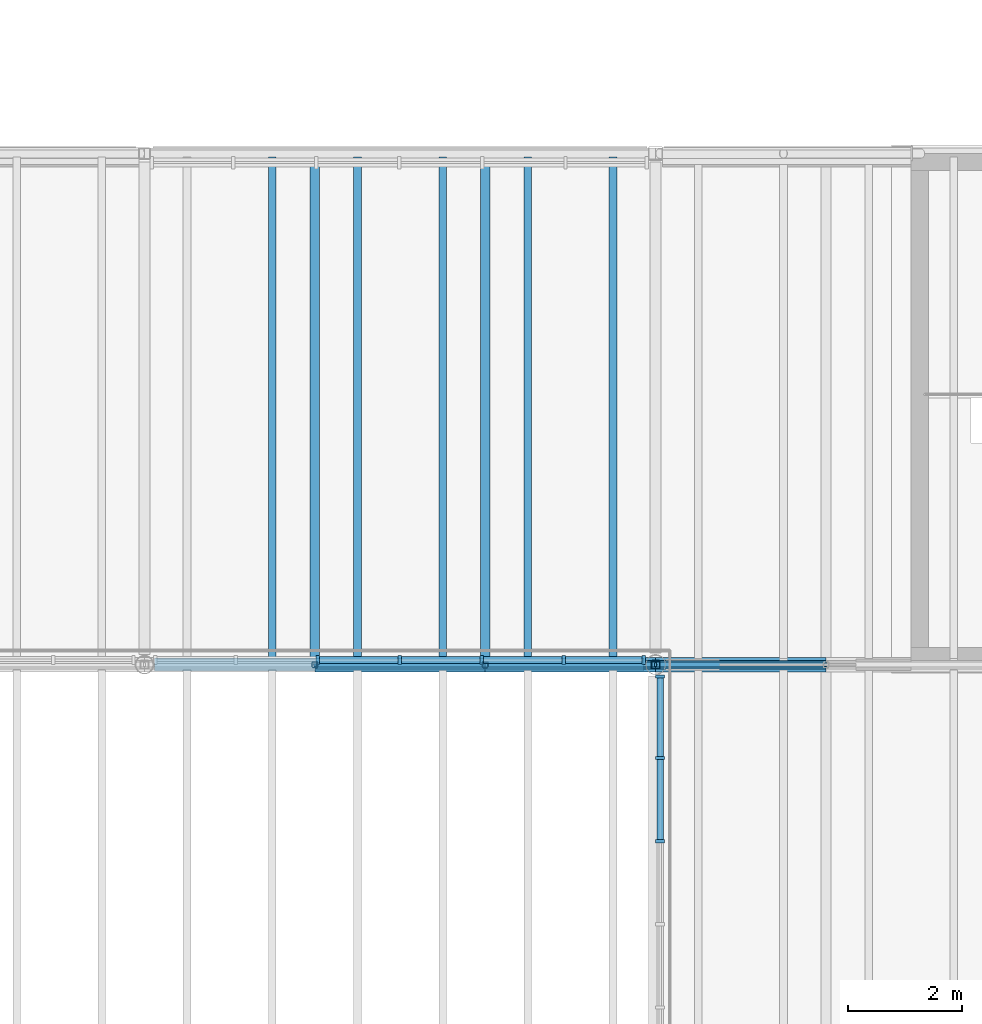
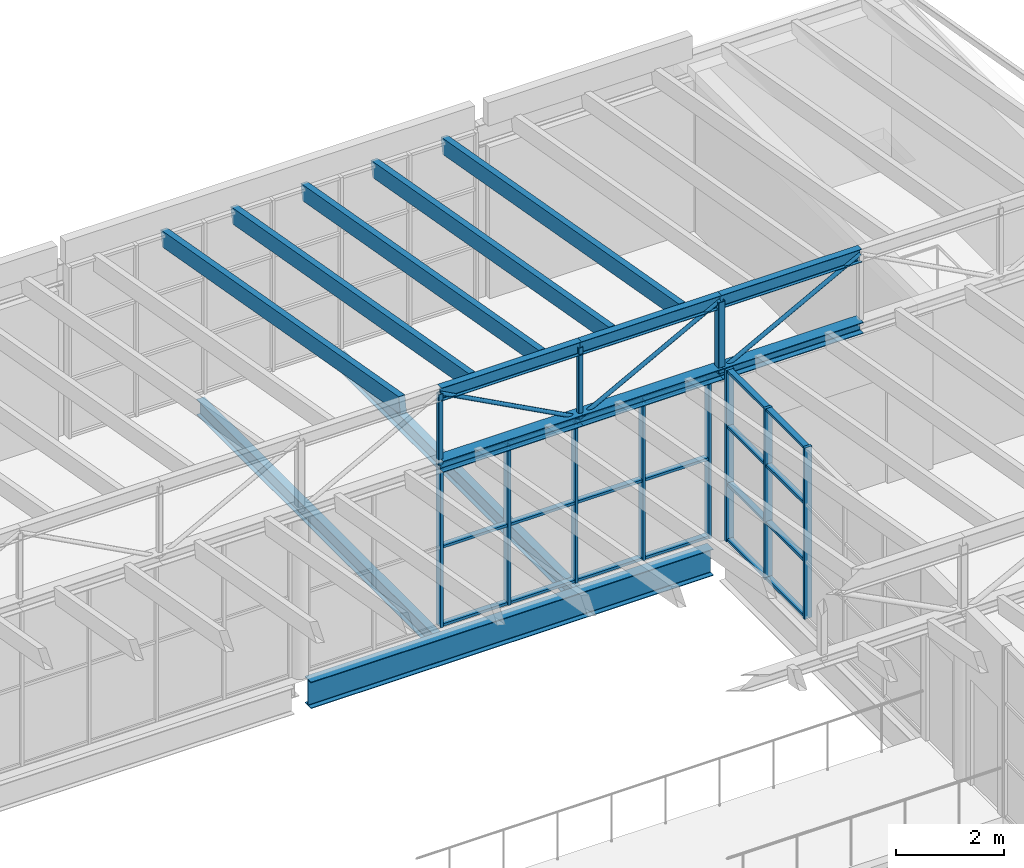
# One storey, part 24 of 44: 45 members, 3 beams, 2 elements without a shape of their own.
"""IFC4 building model written with IfcOpenShell, lengths in metres."""

from ifc_helpers import new_model, si_unit, direction, frame, origin, origin_2d, place, context, subcontext, project, spatial, rectangle, hollow_rectangle, hollow_circle, i_section, extrude, material, layer, layer_set, material_profile, profile_set, type_object, element, aggregate, save


model = new_model("IFC4")

# Units and contexts
model_context = context("Model", 3, precision=1e-05, world=origin(), true_north=direction((0.0, 1.0)))
body_context = subcontext(model_context, "Body", "Model", "MODEL_VIEW")
ifc_project = project(units=[si_unit("LENGTHUNIT", "METRE"), si_unit("AREAUNIT", "SQUARE_METRE"), si_unit("VOLUMEUNIT", "CUBIC_METRE"), si_unit("PLANEANGLEUNIT", "RADIAN"), si_unit("MASSUNIT", "GRAM", prefix="KILO")], contexts=[model_context])

# Site, building, storey
site_placement = place(None, origin())
site = spatial("IfcSite", under=ifc_project, at=site_placement, CompositionType="ELEMENT")
building_placement = place(site_placement, origin())
building = spatial("IfcBuilding", under=site, at=building_placement, Name="Halyard Row Museum", CompositionType="ELEMENT")
storey_placement = place(building_placement, frame((0.0, 0.0, 21.199951171875)))
storey = spatial("IfcBuildingStorey", under=building, at=storey_placement, Name="L04", CompositionType="ELEMENT", Elevation=21.199951171875)

# Curtain wall, members
ifc_material_1 = material(Name="Fire-resisting laminated glazing", Category="glass")
ifc_layer = layer(ifc_material_1, 0.159912109375)
ifc_layer_set = layer_set([ifc_layer], Name="Fire-resisting laminated glazing")
curtain_wall_type = type_object("IfcCurtainWallType", Name="Curtain wall atrium screen 160 deep", PredefinedType="NOTDEFINED", material=ifc_layer_set)
curtain_wall_1_placement = place(storey_placement, origin())
curtain_wall_1 = element("IfcCurtainWall", 1, at=curtain_wall_1_placement, inside=storey, type_object=curtain_wall_type, Name="Curtain wall CW105", PredefinedType="NOTDEFINED")
ifc_material_2 = material(Name="Powder-coated aluminium section", Category="aluminium")
ifc_material_profile_1 = material_profile(ifc_material_2, rectangle(XDim=0.159912109375, YDim=0.06005859375, at=origin_2d()), Name="160x60 mullion")
ifc_profile_set_1 = profile_set([ifc_material_profile_1], Name="Powder-coated aluminium section")
member_type_1 = type_object("IfcMemberType", Name="Curtain wall mullion CM5 60 x 160", PredefinedType="MULLION", material=ifc_profile_set_1)
member_1_placement = place(storey_placement, frame((99.080078125, 23.893310546875, 0.0), z_axis=(0.0, 0.0, 1.0), x_axis=(-1.0, 0.0, 0.0)))
member_1 = element("IfcMember", 2, at=member_1_placement, type_object=member_type_1, Name="CW105 mullion 4", PredefinedType="MULLION", context=body_context, shape_type="SweptSolid", body=[
    extrude(rectangle(XDim=0.159912109375, YDim=0.06005859375, at=origin_2d()), origin(), (0.0, 0.0, 1.0), 3.878173828125),
])
member_2_placement = place(storey_placement, frame((99.080078125, 25.357666015625, 0.0), z_axis=(0.0, 0.0, 1.0), x_axis=(-1.0, 0.0, 0.0)))
member_2 = element("IfcMember", 3, at=member_2_placement, type_object=member_type_1, Name="CW105 mullion 5", PredefinedType="MULLION", context=body_context, shape_type="SweptSolid", body=[
    extrude(rectangle(XDim=0.159912109375, YDim=0.06005859375, at=origin_2d()), origin(), (0.0, 0.0, 1.0), 3.878173828125),
])
member_3_placement = place(storey_placement, frame((99.080078125, 26.792236328125, 0.0), z_axis=(0.0, 0.0, 1.0), x_axis=(-1.0, 0.0, 0.0)))
member_3 = element("IfcMember", 4, at=member_3_placement, type_object=member_type_1, Name="CW105 mullion 6", PredefinedType="MULLION", context=body_context, shape_type="SweptSolid", body=[
    extrude(rectangle(XDim=0.159912109375, YDim=0.06005859375, at=origin_2d()), origin(), (0.0, 0.0, 1.0), 3.878173828125),
])

curtain_wall_2_placement = place(storey_placement, origin())
curtain_wall_2 = element("IfcCurtainWall", 5, at=curtain_wall_2_placement, inside=storey, type_object=curtain_wall_type, Name="Curtain wall CW106", PredefinedType="NOTDEFINED")
member_4_placement = place(storey_placement, frame((98.792236328125, 27.080078125, 0.0), z_axis=(0.0, 0.0, 1.0), x_axis=(0.0, -1.0, 0.0)))
member_4 = element("IfcMember", 6, at=member_4_placement, type_object=member_type_1, Name="CW106 mullion 1", PredefinedType="MULLION", context=body_context, shape_type="SweptSolid", body=[
    extrude(rectangle(XDim=0.159912109375, YDim=0.06005859375, at=origin_2d()), origin(), (0.0, 0.0, 1.0), 3.60009765625),
])
member_5_placement = place(storey_placement, frame((97.37890625, 27.080078125, 0.0), z_axis=(0.0, 0.0, 1.0), x_axis=(0.0, -1.0, 0.0)))
member_5 = element("IfcMember", 7, at=member_5_placement, type_object=member_type_1, Name="CW106 mullion 2", PredefinedType="MULLION", context=body_context, shape_type="SweptSolid", body=[
    extrude(rectangle(XDim=0.159912109375, YDim=0.06005859375, at=origin_2d()), origin(), (0.0, 0.0, 1.0), 3.60009765625),
])
member_6_placement = place(storey_placement, frame((95.935546875, 27.080078125, 0.0), z_axis=(0.0, 0.0, 1.0), x_axis=(0.0, -1.0, 0.0)))
member_6 = element("IfcMember", 8, at=member_6_placement, type_object=member_type_1, Name="CW106 mullion 3", PredefinedType="MULLION", context=body_context, shape_type="SweptSolid", body=[
    extrude(rectangle(XDim=0.159912109375, YDim=0.06005859375, at=origin_2d()), origin(), (0.0, 0.0, 1.0), 3.60009765625),
])
member_7_placement = place(storey_placement, frame((94.4921875, 27.080078125, 0.0), z_axis=(0.0, 0.0, 1.0), x_axis=(0.0, -1.0, 0.0)))
member_7 = element("IfcMember", 9, at=member_7_placement, type_object=member_type_1, Name="CW106 mullion 4", PredefinedType="MULLION", context=body_context, shape_type="SweptSolid", body=[
    extrude(rectangle(XDim=0.159912109375, YDim=0.06005859375, at=origin_2d()), origin(), (0.0, 0.0, 1.0), 3.60009765625),
])
member_8_placement = place(storey_placement, frame((93.048583984375, 27.080078125, 0.0), z_axis=(0.0, 0.0, 1.0), x_axis=(0.0, -1.0, 0.0)))
member_8 = element("IfcMember", 10, at=member_8_placement, type_object=member_type_1, Name="CW106 mullion 5", PredefinedType="MULLION", context=body_context, shape_type="SweptSolid", body=[
    extrude(rectangle(XDim=0.159912109375, YDim=0.06005859375, at=origin_2d()), origin(), (0.0, 0.0, 1.0), 3.60009765625),
])

# Member
ifc_material_3 = material(Name="Powder-coated aluminium section", Category="aluminium")
ifc_material_profile_2 = material_profile(ifc_material_3, rectangle(XDim=0.1201171875, YDim=0.06005859375, at=origin_2d()), Name="120x60 transom")
ifc_profile_set_2 = profile_set([ifc_material_profile_2], Name="Powder-coated aluminium section")
member_type_2 = type_object("IfcMemberType", Name="Curtain wall transom CT5 60 x 120", PredefinedType="USERDEFINED", material=ifc_profile_set_2)
member_9_placement = place(storey_placement, frame((99.080078125, 23.92333984375, 0.030029296875), z_axis=(0.0, 1.0, 0.0), x_axis=(-1.0, 0.0, 0.0)))
member_9 = element("IfcMember", 11, at=member_9_placement, type_object=member_type_2, Name="CW105 transom 4.1", ObjectType="TRANSOM", PredefinedType="USERDEFINED", context=body_context, shape_type="SweptSolid", body=[
    extrude(rectangle(XDim=0.1201171875, YDim=0.06005859375, at=origin_2d()), origin(), (0.0, 0.0, 1.0), 1.404541015625),
])

member_10_placement = place(storey_placement, frame((99.080078125, 23.92333984375, 1.292724609375), z_axis=(0.0, 1.0, 0.0), x_axis=(-1.0, 0.0, 0.0)))
member_10 = element("IfcMember", 12, at=member_10_placement, type_object=member_type_2, Name="CW105 transom 4.2", ObjectType="TRANSOM", PredefinedType="USERDEFINED", context=body_context, shape_type="SweptSolid", body=[
    extrude(rectangle(XDim=0.1201171875, YDim=0.06005859375, at=origin_2d()), origin(), (0.0, 0.0, 1.0), 1.404541015625),
])

member_11_placement = place(storey_placement, frame((99.080078125, 23.92333984375, 2.58544921875), z_axis=(0.0, 1.0, 0.0), x_axis=(-1.0, 0.0, 0.0)))
member_11 = element("IfcMember", 13, at=member_11_placement, type_object=member_type_2, Name="CW105 transom 4.3", ObjectType="TRANSOM", PredefinedType="USERDEFINED", context=body_context, shape_type="SweptSolid", body=[
    extrude(rectangle(XDim=0.1201171875, YDim=0.06005859375, at=origin_2d()), origin(), (0.0, 0.0, 1.0), 1.404541015625),
])

member_12_placement = place(storey_placement, frame((99.080078125, 23.92333984375, 3.84814453125), z_axis=(0.0, 1.0, 0.0), x_axis=(-1.0, 0.0, 0.0)))
member_12 = element("IfcMember", 14, at=member_12_placement, type_object=member_type_2, Name="CW105 transom 4.4", ObjectType="TRANSOM", PredefinedType="USERDEFINED", context=body_context, shape_type="SweptSolid", body=[
    extrude(rectangle(XDim=0.1201171875, YDim=0.06005859375, at=origin_2d()), origin(), (0.0, 0.0, 1.0), 1.404541015625),
])

member_13_placement = place(storey_placement, frame((99.080078125, 25.3876953125, 0.030029296875), z_axis=(0.0, 1.0, 0.0), x_axis=(-1.0, 0.0, 0.0)))
member_13 = element("IfcMember", 15, at=member_13_placement, type_object=member_type_2, Name="CW105 transom 5.1", ObjectType="TRANSOM", PredefinedType="USERDEFINED", context=body_context, shape_type="SweptSolid", body=[
    extrude(rectangle(XDim=0.1201171875, YDim=0.06005859375, at=origin_2d()), origin(), (0.0, 0.0, 1.0), 1.37451171875),
])

member_14_placement = place(storey_placement, frame((99.080078125, 25.3876953125, 1.292724609375), z_axis=(0.0, 1.0, 0.0), x_axis=(-1.0, 0.0, 0.0)))
member_14 = element("IfcMember", 16, at=member_14_placement, type_object=member_type_2, Name="CW105 transom 5.2", ObjectType="TRANSOM", PredefinedType="USERDEFINED", context=body_context, shape_type="SweptSolid", body=[
    extrude(rectangle(XDim=0.1201171875, YDim=0.06005859375, at=origin_2d()), origin(), (0.0, 0.0, 1.0), 1.37451171875),
])

member_15_placement = place(storey_placement, frame((99.080078125, 25.3876953125, 2.58544921875), z_axis=(0.0, 1.0, 0.0), x_axis=(-1.0, 0.0, 0.0)))
member_15 = element("IfcMember", 17, at=member_15_placement, type_object=member_type_2, Name="CW105 transom 5.3", ObjectType="TRANSOM", PredefinedType="USERDEFINED", context=body_context, shape_type="SweptSolid", body=[
    extrude(rectangle(XDim=0.1201171875, YDim=0.06005859375, at=origin_2d()), origin(), (0.0, 0.0, 1.0), 1.37451171875),
])

member_16_placement = place(storey_placement, frame((99.080078125, 25.3876953125, 3.84814453125), z_axis=(0.0, 1.0, 0.0), x_axis=(-1.0, 0.0, 0.0)))
member_16 = element("IfcMember", 18, at=member_16_placement, type_object=member_type_2, Name="CW105 transom 5.4", ObjectType="TRANSOM", PredefinedType="USERDEFINED", context=body_context, shape_type="SweptSolid", body=[
    extrude(rectangle(XDim=0.1201171875, YDim=0.06005859375, at=origin_2d()), origin(), (0.0, 0.0, 1.0), 1.37451171875),
])

aggregate(curtain_wall_1, [member_1, member_2, member_3, member_9, member_10, member_11, member_12, member_13, member_14, member_15, member_16])

member_17_placement = place(storey_placement, frame((98.76220703125, 27.080078125, 0.030029296875), z_axis=(-1.0, 0.0, 0.0), x_axis=(0.0, -1.0, 0.0)))
member_17 = element("IfcMember", 19, at=member_17_placement, type_object=member_type_2, Name="CW106 transom 1.1", ObjectType="TRANSOM", PredefinedType="USERDEFINED", context=body_context, shape_type="SweptSolid", body=[
    extrude(rectangle(XDim=0.1201171875, YDim=0.06005859375, at=origin_2d()), origin(), (0.0, 0.0, 1.0), 1.353271484375),
])

member_18_placement = place(storey_placement, frame((98.76220703125, 27.080078125, 1.800048828125), z_axis=(-1.0, 0.0, 0.0), x_axis=(0.0, -1.0, 0.0)))
member_18 = element("IfcMember", 20, at=member_18_placement, type_object=member_type_2, Name="CW106 transom 1.2", ObjectType="TRANSOM", PredefinedType="USERDEFINED", context=body_context, shape_type="SweptSolid", body=[
    extrude(rectangle(XDim=0.1201171875, YDim=0.06005859375, at=origin_2d()), origin(), (0.0, 0.0, 1.0), 1.353271484375),
])

member_19_placement = place(storey_placement, frame((98.76220703125, 27.080078125, 3.570068359375), z_axis=(-1.0, 0.0, 0.0), x_axis=(0.0, -1.0, 0.0)))
member_19 = element("IfcMember", 21, at=member_19_placement, type_object=member_type_2, Name="CW106 transom 1.3", ObjectType="TRANSOM", PredefinedType="USERDEFINED", context=body_context, shape_type="SweptSolid", body=[
    extrude(rectangle(XDim=0.1201171875, YDim=0.06005859375, at=origin_2d()), origin(), (0.0, 0.0, 1.0), 1.353271484375),
])

member_20_placement = place(storey_placement, frame((97.348876953125, 27.080078125, 0.030029296875), z_axis=(-1.0, 0.0, 0.0), x_axis=(0.0, -1.0, 0.0)))
member_20 = element("IfcMember", 22, at=member_20_placement, type_object=member_type_2, Name="CW106 transom 2.1", ObjectType="TRANSOM", PredefinedType="USERDEFINED", context=body_context, shape_type="SweptSolid", body=[
    extrude(rectangle(XDim=0.1201171875, YDim=0.06005859375, at=origin_2d()), origin(), (0.0, 0.0, 1.0), 1.383544921875),
])

member_21_placement = place(storey_placement, frame((97.348876953125, 27.080078125, 1.800048828125), z_axis=(-1.0, 0.0, 0.0), x_axis=(0.0, -1.0, 0.0)))
member_21 = element("IfcMember", 23, at=member_21_placement, type_object=member_type_2, Name="CW106 transom 2.2", ObjectType="TRANSOM", PredefinedType="USERDEFINED", context=body_context, shape_type="SweptSolid", body=[
    extrude(rectangle(XDim=0.1201171875, YDim=0.06005859375, at=origin_2d()), origin(), (0.0, 0.0, 1.0), 1.383544921875),
])

member_22_placement = place(storey_placement, frame((97.348876953125, 27.080078125, 3.570068359375), z_axis=(-1.0, 0.0, 0.0), x_axis=(0.0, -1.0, 0.0)))
member_22 = element("IfcMember", 24, at=member_22_placement, type_object=member_type_2, Name="CW106 transom 2.3", ObjectType="TRANSOM", PredefinedType="USERDEFINED", context=body_context, shape_type="SweptSolid", body=[
    extrude(rectangle(XDim=0.1201171875, YDim=0.06005859375, at=origin_2d()), origin(), (0.0, 0.0, 1.0), 1.383544921875),
])

member_23_placement = place(storey_placement, frame((95.905517578125, 27.080078125, 0.030029296875), z_axis=(-1.0, 0.0, 0.0), x_axis=(0.0, -1.0, 0.0)))
member_23 = element("IfcMember", 25, at=member_23_placement, type_object=member_type_2, Name="CW106 transom 3.1", ObjectType="TRANSOM", PredefinedType="USERDEFINED", context=body_context, shape_type="SweptSolid", body=[
    extrude(rectangle(XDim=0.1201171875, YDim=0.06005859375, at=origin_2d()), origin(), (0.0, 0.0, 1.0), 1.383544921875),
])

member_24_placement = place(storey_placement, frame((95.905517578125, 27.080078125, 1.800048828125), z_axis=(-1.0, 0.0, 0.0), x_axis=(0.0, -1.0, 0.0)))
member_24 = element("IfcMember", 26, at=member_24_placement, type_object=member_type_2, Name="CW106 transom 3.2", ObjectType="TRANSOM", PredefinedType="USERDEFINED", context=body_context, shape_type="SweptSolid", body=[
    extrude(rectangle(XDim=0.1201171875, YDim=0.06005859375, at=origin_2d()), origin(), (0.0, 0.0, 1.0), 1.383544921875),
])

member_25_placement = place(storey_placement, frame((95.905517578125, 27.080078125, 3.570068359375), z_axis=(-1.0, 0.0, 0.0), x_axis=(0.0, -1.0, 0.0)))
member_25 = element("IfcMember", 27, at=member_25_placement, type_object=member_type_2, Name="CW106 transom 3.3", ObjectType="TRANSOM", PredefinedType="USERDEFINED", context=body_context, shape_type="SweptSolid", body=[
    extrude(rectangle(XDim=0.1201171875, YDim=0.06005859375, at=origin_2d()), origin(), (0.0, 0.0, 1.0), 1.383544921875),
])

member_26_placement = place(storey_placement, frame((94.462158203125, 27.080078125, 0.030029296875), z_axis=(-1.0, 0.0, 0.0), x_axis=(0.0, -1.0, 0.0)))
member_26 = element("IfcMember", 28, at=member_26_placement, type_object=member_type_2, Name="CW106 transom 4.1", ObjectType="TRANSOM", PredefinedType="USERDEFINED", context=body_context, shape_type="SweptSolid", body=[
    extrude(rectangle(XDim=0.1201171875, YDim=0.06005859375, at=origin_2d()), origin(), (0.0, 0.0, 1.0), 1.383544921875),
])

member_27_placement = place(storey_placement, frame((94.462158203125, 27.080078125, 1.800048828125), z_axis=(-1.0, 0.0, 0.0), x_axis=(0.0, -1.0, 0.0)))
member_27 = element("IfcMember", 29, at=member_27_placement, type_object=member_type_2, Name="CW106 transom 4.2", ObjectType="TRANSOM", PredefinedType="USERDEFINED", context=body_context, shape_type="SweptSolid", body=[
    extrude(rectangle(XDim=0.1201171875, YDim=0.06005859375, at=origin_2d()), origin(), (0.0, 0.0, 1.0), 1.383544921875),
])

member_28_placement = place(storey_placement, frame((94.462158203125, 27.080078125, 3.570068359375), z_axis=(-1.0, 0.0, 0.0), x_axis=(0.0, -1.0, 0.0)))
member_28 = element("IfcMember", 30, at=member_28_placement, type_object=member_type_2, Name="CW106 transom 4.3", ObjectType="TRANSOM", PredefinedType="USERDEFINED", context=body_context, shape_type="SweptSolid", body=[
    extrude(rectangle(XDim=0.1201171875, YDim=0.06005859375, at=origin_2d()), origin(), (0.0, 0.0, 1.0), 1.383544921875),
])

aggregate(curtain_wall_2, [member_4, member_5, member_6, member_7, member_8, member_17, member_18, member_19, member_20, member_21, member_22, member_23, member_24, member_25, member_26, member_27, member_28])

# Members
ifc_material_4 = material(Name="Glulam GL12 radiata pine", Category="wood")
ifc_material_profile_3 = material_profile(ifc_material_4, rectangle(XDim=0.135009765625, YDim=0.360107421875, at=origin_2d()), Name="GL12 135x360")
ifc_profile_set_3 = profile_set([ifc_material_profile_3], Name="Glulam GL12 radiata pine")
member_type_3 = type_object("IfcMemberType", Name="Rafter GL12 135x360", PredefinedType="RAFTER", material=ifc_profile_set_3)
for number, where, z_axis, x_axis, name in (
    (31, (92.25, 27.074462890625, 5.283935546875), (0.0, 0.984561882288, -0.175036853105), (-1.0, 0.0, 0.0), "Rafter V2-T4a.14"),
    (32, (93.75, 27.074462890625, 5.283935546875), (0.0, 0.984561882288, -0.175036853105), (-1.0, 0.0, 0.0), "Rafter V2-T4a.15"),
    (33, (95.25, 27.074462890625, 5.283935546875), (0.0, 0.984561882288, -0.175036853105), (-1.0, 0.0, 0.0), "Rafter V2-T4a.16"),
    (34, (96.75, 27.074462890625, 5.283935546875), (0.0, 0.984561882288, -0.175036853105), (-1.0, 0.0, 0.0), "Rafter V2-T4a.17"),
    (35, (98.25, 27.074462890625, 5.283935546875), (0.0, 0.984561882288, -0.175036853105), (-1.0, 0.0, 0.0), "Rafter V2-T4a.18"),
):
    element("IfcMember", number, at=place(storey_placement, frame(where, z_axis=z_axis, x_axis=x_axis)), inside=storey, type_object=member_type_3, Name=name, PredefinedType="RAFTER", context=body_context, shape_type="SweptSolid", body=[
        extrude(rectangle(XDim=0.135009765625, YDim=0.360107421875, at=origin_2d()), origin(), (0.0, 0.0, 1.0), 8.968505859375),
    ])

# Beams
ifc_material_5 = material(Name="Steel Grade 300", Category="steel")
ifc_material_profile_4 = material_profile(ifc_material_5, i_section(OverallWidth=0.1708984375, OverallDepth=0.355712890625, WebThickness=0.00732421875, FlangeThickness=0.011474609375, FilletRadius=0.011474609375, at=origin_2d()), Name="360UB50.7")
ifc_profile_set_4 = profile_set([ifc_material_profile_4], Name="Steel Grade 300")
beam_type_1 = type_object("IfcBeamType", Name="Secondary beam 360UB50.7", PredefinedType="BEAM", material=ifc_profile_set_4)
for number, where, z_axis, x_axis, name in (
    (36, (93.0, 27.114013671875, -0.3427734375), (0.0, 1.0, 0.0), (-1.0, 0.0, 0.0), "Beam L04-051"),
    (37, (96.0, 27.114013671875, -0.3427734375), (0.0, 1.0, 0.0), (-1.0, 0.0, 0.0), "Beam L04-052"),
):
    element("IfcBeam", number, at=place(storey_placement, frame(where, z_axis=z_axis, x_axis=x_axis)), inside=storey, type_object=beam_type_1, Name=name, PredefinedType="BEAM", context=body_context, shape_type="SweptSolid", body=[
        extrude(i_section(OverallWidth=0.1708984375, OverallDepth=0.355712890625, WebThickness=0.00732421875, FlangeThickness=0.011474609375, FilletRadius=0.011474609375, at=origin_2d()), origin(), (0.0, 0.0, 1.0), 8.760986328125),
    ])

# Members
ifc_material_6 = material(Name="Steel Grade 300", Category="steel")
ifc_material_profile_5 = material_profile(ifc_material_6, i_section(OverallWidth=0.25390625, OverallDepth=0.25390625, WebThickness=0.008544921875, FlangeThickness=0.01416015625, FilletRadius=0.013916015625, at=origin_2d()), Name="250UC72.9")
ifc_profile_set_5 = profile_set([ifc_material_profile_5], Name="Steel Grade 300")
member_type_4 = type_object("IfcMemberType", Name="Valley truss bottom chord 250UC72.9", PredefinedType="CHORD", material=ifc_profile_set_5)
for number, where, z_axis, x_axis, name in (
    (38, (93.0, 27.0, 3.72705078125), (1.0, 0.0, 0.0), (0.0, 1.0, 0.0), "V2-VT4 bottom chord 3.2"),
    (39, (96.0, 27.0, 3.72705078125), (1.0, 0.0, 0.0), (0.0, 1.0, 0.0), "V2-VT4 bottom chord 3.3"),
    (40, (99.0, 27.0, 3.72705078125), (1.0, 0.0, 0.0), (0.0, 1.0, 0.0), "V2-VT4 bottom chord 4.1"),
):
    element("IfcMember", number, at=place(storey_placement, frame(where, z_axis=z_axis, x_axis=x_axis)), inside=storey, type_object=member_type_4, Name=name, PredefinedType="CHORD", context=body_context, shape_type="SweptSolid", body=[
        extrude(i_section(OverallWidth=0.25390625, OverallDepth=0.25390625, WebThickness=0.008544921875, FlangeThickness=0.01416015625, FilletRadius=0.013916015625, at=origin_2d()), origin(), (0.0, 0.0, 1.0), 3.0),
    ])
ifc_material_7 = material(Name="Steel Grade C250L0", Category="steel")
ifc_material_profile_6 = material_profile(ifc_material_7, hollow_circle(Radius=0.04443359375, WallThickness=0.0048828125, at=origin_2d()), Name="88.9x5.0CHS")
ifc_profile_set_6 = profile_set([ifc_material_profile_6], Name="Steel Grade C250L0")
member_type_5 = type_object("IfcMemberType", Name="Valley truss diagonal 88.9x5.0CHS", PredefinedType="BRACE", material=ifc_profile_set_6)
for number, where, z_axis, x_axis, name in (
    (41, (93.0, 27.0, 5.3310546875), (0.881863759518, 0.0, -0.471504305016), (0.0, 1.0, 0.0), "V2-VT4 diagonal 3.2"),
    (42, (96.0, 27.0, 3.72705078125), (0.881863759518, 0.0, 0.471504305016), (0.0, 1.0, 0.0), "V2-VT4 diagonal 3.3"),
    (43, (99.0, 27.0, 3.72705078125), (0.881863759518, 0.0, 0.471504305016), (0.0, 1.0, 0.0), "V2-VT4 diagonal 4.1"),
):
    element("IfcMember", number, at=place(storey_placement, frame(where, z_axis=z_axis, x_axis=x_axis)), inside=storey, type_object=member_type_5, Name=name, PredefinedType="BRACE", context=body_context, shape_type="SweptSolid", body=[
        extrude(hollow_circle(Radius=0.04443359375, WallThickness=0.0048828125, at=origin_2d()), origin(), (0.0, 0.0, 1.0), 3.40185546875),
    ])
ifc_material_8 = material(Name="Steel Grade C350L0", Category="steel")
ifc_material_profile_7 = material_profile(ifc_material_8, hollow_rectangle(XDim=0.10009765625, YDim=0.10009765625, WallThickness=0.006103515625, InnerFilletRadius=0.009033203125, OuterFilletRadius=0.014892578125, at=origin_2d()), Name="100x100x6.0SHS")
ifc_profile_set_7 = profile_set([ifc_material_profile_7], Name="Steel Grade C350L0")
member_type_6 = type_object("IfcMemberType", Name="Valley truss post 100x100x6.0SHS", PredefinedType="POST", material=ifc_profile_set_7)
for number, where, z_axis, x_axis, name in (
    (44, (93.0, 27.0, 3.72705078125), (0.0, 0.0, 1.0), (1.0, 0.0, 0.0), "V2-VT4 post 3.1"),
    (45, (96.0, 27.0, 3.72705078125), (0.0, 0.0, 1.0), (1.0, 0.0, 0.0), "V2-VT4 post 3.2"),
):
    element("IfcMember", number, at=place(storey_placement, frame(where, z_axis=z_axis, x_axis=x_axis)), inside=storey, type_object=member_type_6, Name=name, PredefinedType="POST", context=body_context, shape_type="SweptSolid", body=[
        extrude(hollow_rectangle(XDim=0.10009765625, YDim=0.10009765625, WallThickness=0.006103515625, InnerFilletRadius=0.009033203125, OuterFilletRadius=0.014892578125, at=origin_2d()), origin(), (0.0, 0.0, 1.0), 1.60400390625),
    ])
ifc_material_9 = material(Name="Steel Grade C350L0", Category="steel")
ifc_material_profile_8 = material_profile(ifc_material_9, hollow_rectangle(XDim=0.14990234375, YDim=0.14990234375, WallThickness=0.006103515625, InnerFilletRadius=0.009033203125, OuterFilletRadius=0.014892578125, at=origin_2d()), Name="150x150x6.0SHS")
ifc_profile_set_8 = profile_set([ifc_material_profile_8], Name="Steel Grade C350L0")
member_type_7 = type_object("IfcMemberType", Name="Valley truss post 150x150x6.0SHS", PredefinedType="POST", material=ifc_profile_set_8)
member_29_placement = place(storey_placement, frame((99.0, 27.0, 3.72705078125), z_axis=(0.0, 0.0, 1.0), x_axis=(1.0, 0.0, 0.0)))
element("IfcMember", 46, at=member_29_placement, inside=storey, type_object=member_type_7, Name="V2-VT4 post 3.3", PredefinedType="POST", context=body_context, shape_type="SweptSolid", body=[
    extrude(hollow_rectangle(XDim=0.14990234375, YDim=0.14990234375, WallThickness=0.006103515625, InnerFilletRadius=0.009033203125, OuterFilletRadius=0.014892578125, at=origin_2d()), origin(), (0.0, 0.0, 1.0), 1.60400390625),
])
ifc_material_10 = material(Name="Steel Grade 300", Category="steel")
ifc_material_profile_9 = material_profile(ifc_material_10, i_section(OverallWidth=0.14892578125, OverallDepth=0.298095703125, WebThickness=0.005615234375, FlangeThickness=0.008056640625, FilletRadius=0.012939453125, at=origin_2d()), Name="310UB32.0")
ifc_profile_set_9 = profile_set([ifc_material_profile_9], Name="Steel Grade 300")
member_type_8 = type_object("IfcMemberType", Name="Valley truss top chord 310UB32.0", PredefinedType="CHORD", material=ifc_profile_set_9)
for number, where, z_axis, x_axis, name in (
    (47, (93.0, 27.0, 5.3310546875), (1.0, 0.0, 0.0), (0.0, 1.0, 0.0), "V2-VT4 top chord 3.2"),
    (48, (96.0, 27.0, 5.3310546875), (1.0, 0.0, 0.0), (0.0, 1.0, 0.0), "V2-VT4 top chord 3.3"),
    (49, (99.0, 27.0, 5.3310546875), (1.0, 0.0, 0.0), (0.0, 1.0, 0.0), "V2-VT4 top chord 4.1"),
):
    element("IfcMember", number, at=place(storey_placement, frame(where, z_axis=z_axis, x_axis=x_axis)), inside=storey, type_object=member_type_8, Name=name, PredefinedType="CHORD", context=body_context, shape_type="SweptSolid", body=[
        extrude(i_section(OverallWidth=0.14892578125, OverallDepth=0.298095703125, WebThickness=0.005615234375, FlangeThickness=0.008056640625, FilletRadius=0.012939453125, at=origin_2d()), origin(), (0.0, 0.0, 1.0), 3.0),
    ])

# Beam
ifc_material_11 = material(Name="Steel Grade 300", Category="steel")
ifc_material_profile_10 = material_profile(ifc_material_11, i_section(OverallWidth=0.22802734375, OverallDepth=0.60205078125, WebThickness=0.010498046875, FlangeThickness=0.014892578125, FilletRadius=0.013916015625, at=origin_2d()), Name="610UB101")
ifc_profile_set_10 = profile_set([ifc_material_profile_10], Name="Steel Grade 300")
beam_type_2 = type_object("IfcBeamType", Name="Void edge beam 610UB101", PredefinedType="BEAM", material=ifc_profile_set_10)
beam_placement = place(storey_placement, frame((90.177734375, 27.0, -0.466064453125), z_axis=(1.0, 0.0, 0.0), x_axis=(0.0, 1.0, 0.0)))
element("IfcBeam", 50, at=beam_placement, inside=storey, type_object=beam_type_2, Name="Beam L04-013", PredefinedType="BEAM", context=body_context, shape_type="SweptSolid", body=[
    extrude(i_section(OverallWidth=0.22802734375, OverallDepth=0.60205078125, WebThickness=0.010498046875, FlangeThickness=0.014892578125, FilletRadius=0.013916015625, at=origin_2d()), origin(), (0.0, 0.0, 1.0), 8.619140625),
])

save(model, "model.ifc")
